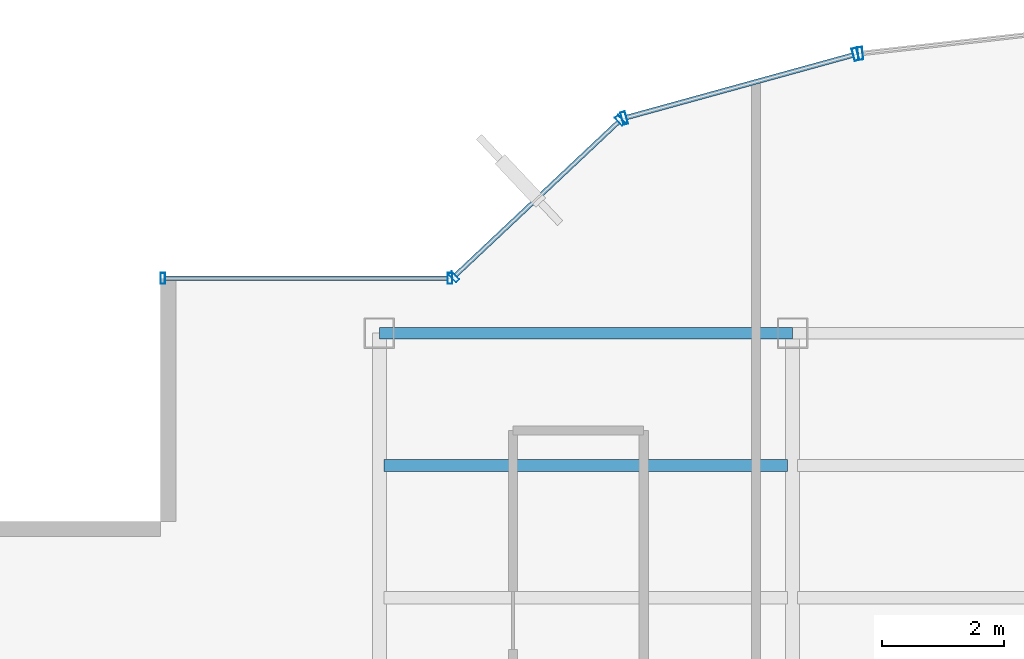
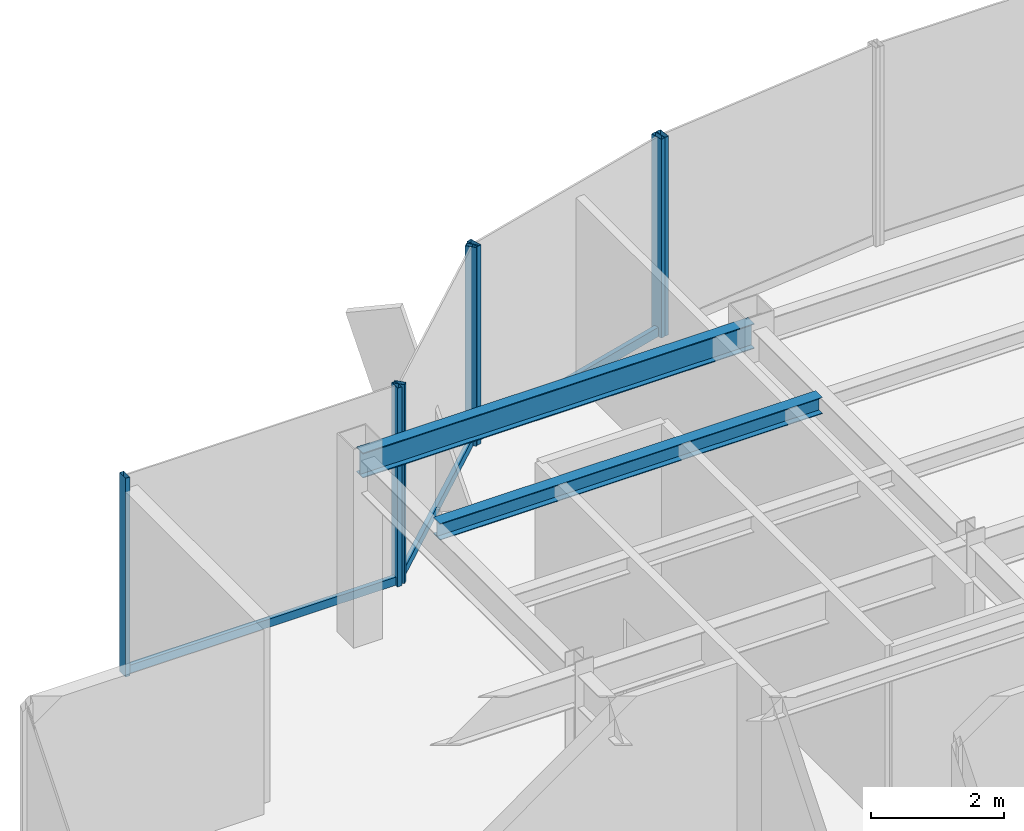
# One storey, part 12 of 22: 10 members, 2 beams, 4 elements without a shape of their own.
"""IFC4 building model written with IfcOpenShell, lengths in metres."""

from ifc_helpers import new_model, si_unit, derived_unit, direction, frame, origin, origin_2d, place, context, subcontext, project, spatial, hollow_rectangle, i_section, extrude, source, transform, mapped, material, material_profile, profile_set, type_object, element, aggregate, save


model = new_model("IFC4")

# Units and contexts
model_context = context("Model", 3, precision=1e-05, world=origin(), true_north=direction((0.0, 1.0)))
body_context = subcontext(model_context, "Body", "Model", "MODEL_VIEW")
ifc_project = project(units=[si_unit("LENGTHUNIT", "METRE"), si_unit("AREAUNIT", "SQUARE_METRE"), si_unit("VOLUMEUNIT", "CUBIC_METRE"), si_unit("PLANEANGLEUNIT", "RADIAN"), si_unit("MASSUNIT", "GRAM", prefix="KILO"), derived_unit("THERMALTRANSMITTANCEUNIT", [(si_unit("POWERUNIT", "WATT"), 1), (si_unit("LENGTHUNIT", "METRE"), -2), (si_unit("THERMODYNAMICTEMPERATUREUNIT", "KELVIN"), -1)])], contexts=[model_context])

# Site, building, storey
site_placement = place(None, origin())
site = spatial("IfcSite", under=ifc_project, at=site_placement, CompositionType="ELEMENT")
building_placement = place(site_placement, origin())
building = spatial("IfcBuilding", under=site, at=building_placement, Name="Skarnbrae Concourse Arena and Tower", CompositionType="ELEMENT")
storey_placement = place(building_placement, frame((0.0, 0.0, 266.10009765625)))
storey = spatial("IfcBuildingStorey", under=building, at=storey_placement, Name="L69", CompositionType="ELEMENT", Elevation=266.10009765625)

# Beams
ifc_material_1 = material(Name="Steel CSA G40.21 350W", Category="steel")
ifc_material_profile_1 = material_profile(ifc_material_1, i_section(OverallWidth=0.19091796875, OverallDepth=0.4599609375, WebThickness=0.010009765625, FlangeThickness=0.01611328125, at=origin_2d()), Name="W460X82")
ifc_profile_set_1 = profile_set([ifc_material_profile_1], Name="Steel CSA G40.21 350W")
beam_type_1 = type_object("IfcBeamType", Name="BM-SPAN-W460X82", PredefinedType="SPANDREL", material=ifc_profile_set_1)
shared_shape_1 = source(origin(), body_context, "Body", "SweptSolid", [
    extrude(i_section(OverallWidth=0.19091796875, OverallDepth=0.4599609375, WebThickness=0.010009765625, FlangeThickness=0.01611328125, at=origin_2d()), origin(), (0.0, 0.0, 1.0), 6.7998046875),
])
beam_1_placement = place(storey_placement, frame((7.60009765625, 34.39990234375, 3.169921875), z_axis=(1.0, 0.0, 0.0), x_axis=(0.0, 1.0, 0.0)))
element("IfcBeam", 1, at=beam_1_placement, inside=storey, type_object=beam_type_1, Name="L69 Perimeter spandrel Y34.4-1", PredefinedType="SPANDREL", context=body_context, shape_type="MappedRepresentation", body=[
    mapped(shared_shape_1, transform((0.0, 0.0, 0.0))),
])
ifc_material_profile_2 = material_profile(ifc_material_1, i_section(OverallWidth=0.202880859375, OverallDepth=0.302978515625, WebThickness=0.007568359375, FlangeThickness=0.01318359375, at=origin_2d()), Name="W310X60")
ifc_profile_set_2 = profile_set([ifc_material_profile_2], Name="Steel CSA G40.21 350W")
beam_type_2 = type_object("IfcBeamType", Name="BM-JOIST-W310X60", PredefinedType="JOIST", material=ifc_profile_set_2)
shared_shape_2 = source(origin(), body_context, "Body", "SweptSolid", [
    extrude(i_section(OverallWidth=0.202880859375, OverallDepth=0.302978515625, WebThickness=0.007568359375, FlangeThickness=0.01318359375, at=origin_2d()), origin(), (0.0, 0.0, 1.0), 6.64013671875),
])
beam_2_placement = place(storey_placement, frame((7.679931640625, 32.221923828125, 3.248291015625), z_axis=(1.0, 0.0, 0.0), x_axis=(0.0, 1.0, 0.0)))
element("IfcBeam", 2, at=beam_2_placement, inside=storey, type_object=beam_type_2, Name="L69 Secondary floor joist 3.2.1", PredefinedType="JOIST", context=body_context, shape_type="MappedRepresentation", body=[
    mapped(shared_shape_2, transform((0.0, 0.0, 0.0))),
])

# Curtain wall, member
ifc_material_2 = material(Name="Bronze anodised aluminium 6063-T6", Category="aluminium")
curtain_wall_type_1 = type_object("IfcCurtainWallType", Name="CW-SYS-03-PORTAL", PredefinedType="USERDEFINED", material=ifc_material_2)
curtain_wall_1_placement = place(storey_placement, origin())
curtain_wall_1 = element("IfcCurtainWall", 3, at=curtain_wall_1_placement, inside=storey, type_object=curtain_wall_type_1, Name="L69 Unitised curtain wall CW-L69-E12", ObjectType="UNITISED CURTAIN WALL", PredefinedType="USERDEFINED")
ifc_material_profile_3 = material_profile(ifc_material_2, hollow_rectangle(XDim=0.080078125, YDim=0.2099609375, WallThickness=0.00439453125, at=origin_2d()), Name="ALU-MULL-80X210")
ifc_profile_set_3 = profile_set([ifc_material_profile_3], Name="Bronze anodised aluminium 6063-T6")
member_type_1 = type_object("IfcMemberType", Name="CWM-CW-03", PredefinedType="MULLION", material=ifc_profile_set_3)
shared_shape_3 = source(origin(), body_context, "Body", "SweptSolid", [
    extrude(hollow_rectangle(XDim=0.080078125, YDim=0.2099609375, WallThickness=0.00439453125, at=origin_2d()), origin(), (0.0, 0.0, 1.0), 3.64990234375),
])
member_1_placement = place(storey_placement, frame((15.513916015625, 39.001708984375, 0.0), z_axis=(0.0, 0.0, 1.0), x_axis=(-0.993768891873, -0.111460259941, 0.0)))
member_1 = element("IfcMember", 4, at=member_1_placement, type_object=member_type_1, Name="CW-L69-E12 Mullion 2", PredefinedType="MULLION", context=body_context, shape_type="MappedRepresentation", body=[
    mapped(shared_shape_3, transform((0.0, 0.0, 0.0))),
])
aggregate(curtain_wall_1, [member_1])

# Curtain wall, members
curtain_wall_2_placement = place(storey_placement, origin())
curtain_wall_2 = element("IfcCurtainWall", 5, at=curtain_wall_2_placement, inside=storey, type_object=curtain_wall_type_1, Name="L69 Unitised curtain wall CW-L69-E13", ObjectType="UNITISED CURTAIN WALL", PredefinedType="USERDEFINED")
member_2_placement = place(storey_placement, frame((15.435546875, 38.986572265625, 0.0), z_axis=(0.0, 0.0, 1.0), x_axis=(-0.964057388766, -0.265694093207, 0.0)))
member_2 = element("IfcMember", 6, at=member_2_placement, type_object=member_type_1, Name="CW-L69-E13 Mullion 1", PredefinedType="MULLION", context=body_context, shape_type="MappedRepresentation", body=[
    mapped(shared_shape_3, transform((0.0, 0.0, 0.0))),
])
member_3_placement = place(storey_placement, frame((11.62890625, 37.937255859375, 0.0), z_axis=(0.0, 0.0, 1.0), x_axis=(-0.964057388766, -0.265694093207, 0.0)))
member_3 = element("IfcMember", 7, at=member_3_placement, type_object=member_type_1, Name="CW-L69-E13 Mullion 2", PredefinedType="MULLION", context=body_context, shape_type="MappedRepresentation", body=[
    mapped(shared_shape_3, transform((0.0, 0.0, 0.0))),
])

curtain_wall_type_2 = type_object("IfcCurtainWallType", Name="CW-SYS-05-HIGHZONE", PredefinedType="USERDEFINED", material=ifc_material_2)
curtain_wall_3_placement = place(storey_placement, origin())
curtain_wall_3 = element("IfcCurtainWall", 8, at=curtain_wall_3_placement, inside=storey, type_object=curtain_wall_type_2, Name="L69 Unitised curtain wall CW-L69-E14", ObjectType="UNITISED CURTAIN WALL", PredefinedType="USERDEFINED")
ifc_material_profile_4 = material_profile(ifc_material_2, hollow_rectangle(XDim=0.074951171875, YDim=0.179931640625, WallThickness=0.00390625, at=origin_2d()), Name="ALU-MULL-75X180")
ifc_profile_set_4 = profile_set([ifc_material_profile_4], Name="Bronze anodised aluminium 6063-T6")
member_type_2 = type_object("IfcMemberType", Name="CWM-CW-05", PredefinedType="MULLION", material=ifc_profile_set_4)
shared_shape_4 = source(origin(), body_context, "Body", "SweptSolid", [
    extrude(hollow_rectangle(XDim=0.074951171875, YDim=0.179931640625, WallThickness=0.00390625, at=origin_2d()), origin(), (0.0, 0.0, 1.0), 3.64990234375),
])
member_4_placement = place(storey_placement, frame((11.56298828125, 37.90087890625, 0.0), z_axis=(0.0, 0.0, 1.0), x_axis=(-0.728130555214, -0.685438468838, 0.0)))
member_4 = element("IfcMember", 9, at=member_4_placement, type_object=member_type_2, Name="CW-L69-E14 Mullion 1", PredefinedType="MULLION", context=body_context, shape_type="MappedRepresentation", body=[
    mapped(shared_shape_4, transform((0.0, 0.0, 0.0))),
])
member_5_placement = place(storey_placement, frame((8.827392578125, 35.32568359375, 0.0), z_axis=(0.0, 0.0, 1.0), x_axis=(-0.728130555214, -0.685438468838, 0.0)))
member_5 = element("IfcMember", 10, at=member_5_placement, type_object=member_type_2, Name="CW-L69-E14 Mullion 2", PredefinedType="MULLION", context=body_context, shape_type="MappedRepresentation", body=[
    mapped(shared_shape_4, transform((0.0, 0.0, 0.0))),
])

curtain_wall_4_placement = place(storey_placement, origin())
curtain_wall_4 = element("IfcCurtainWall", 11, at=curtain_wall_4_placement, inside=storey, type_object=curtain_wall_type_2, Name="L69 Unitised curtain wall CW-L69-E15", ObjectType="UNITISED CURTAIN WALL", PredefinedType="USERDEFINED")
member_6_placement = place(storey_placement, frame((8.762451171875, 35.300048828125, 0.0), z_axis=(0.0, 0.0, 1.0), x_axis=(-1.0, 0.0, 0.0)))
member_6 = element("IfcMember", 12, at=member_6_placement, type_object=member_type_2, Name="CW-L69-E15 Mullion 1", PredefinedType="MULLION", context=body_context, shape_type="MappedRepresentation", body=[
    mapped(shared_shape_4, transform((0.0, 0.0, 0.0))),
])
member_7_placement = place(storey_placement, frame((4.03759765625, 35.300048828125, 0.0), z_axis=(0.0, 0.0, 1.0), x_axis=(-1.0, 0.0, 0.0)))
member_7 = element("IfcMember", 13, at=member_7_placement, type_object=member_type_2, Name="CW-L69-E15 Mullion 2", PredefinedType="MULLION", context=body_context, shape_type="MappedRepresentation", body=[
    mapped(shared_shape_4, transform((0.0, 0.0, 0.0))),
])
ifc_material_profile_5 = material_profile(ifc_material_2, hollow_rectangle(XDim=0.074951171875, YDim=0.14990234375, WallThickness=0.00390625, at=origin_2d()), Name="ALU-TRAN-75X150")
ifc_profile_set_5 = profile_set([ifc_material_profile_5], Name="Bronze anodised aluminium 6063-T6")
member_type_3 = type_object("IfcMemberType", Name="CWT-CW-05", PredefinedType="USERDEFINED", material=ifc_profile_set_5)
shared_shape_5 = source(origin(), body_context, "Body", "SweptSolid", [
    extrude(hollow_rectangle(XDim=0.074951171875, YDim=0.14990234375, WallThickness=0.00390625, at=origin_2d()), origin(), (0.0, 0.0, 1.0), 4.650146484375),
])
member_8_placement = place(storey_placement, frame((8.72509765625, 35.300048828125, 0.074951171875), z_axis=(-1.0, 0.0, 0.0), x_axis=(0.0, -1.0, 0.0)))
member_8 = element("IfcMember", 14, at=member_8_placement, type_object=member_type_3, Name="CW-L69-E15 Transom 1", ObjectType="TRANSOM", PredefinedType="USERDEFINED", context=body_context, shape_type="MappedRepresentation", body=[
    mapped(shared_shape_5, transform((0.0, 0.0, 0.0))),
])
aggregate(curtain_wall_4, [member_6, member_7, member_8])

# Member
shared_shape_6 = source(origin(), body_context, "Body", "SweptSolid", [
    extrude(hollow_rectangle(XDim=0.074951171875, YDim=0.14990234375, WallThickness=0.00390625, at=origin_2d()), origin(), (0.0, 0.0, 1.0), 3.68212890625),
])
member_9_placement = place(storey_placement, frame((11.53564453125, 37.875244140625, 0.074951171875), z_axis=(-0.728133808476, -0.685435012933, 0.0), x_axis=(0.685435012933, -0.728133808476, 0.0)))
member_9 = element("IfcMember", 15, at=member_9_placement, type_object=member_type_3, Name="CW-L69-E14 Transom 1", ObjectType="TRANSOM", PredefinedType="USERDEFINED", context=body_context, shape_type="MappedRepresentation", body=[
    mapped(shared_shape_6, transform((0.0, 0.0, 0.0))),
])

aggregate(curtain_wall_3, [member_4, member_5, member_9])

ifc_material_profile_6 = material_profile(ifc_material_2, hollow_rectangle(XDim=0.080078125, YDim=0.169921875, WallThickness=0.00439453125, at=origin_2d()), Name="ALU-TRAN-80X170")
ifc_profile_set_6 = profile_set([ifc_material_profile_6], Name="Bronze anodised aluminium 6063-T6")
member_type_4 = type_object("IfcMemberType", Name="CWT-CW-03", PredefinedType="USERDEFINED", material=ifc_profile_set_6)
shared_shape_7 = source(origin(), body_context, "Body", "SweptSolid", [
    extrude(hollow_rectangle(XDim=0.080078125, YDim=0.169921875, WallThickness=0.00439453125, at=origin_2d()), origin(), (0.0, 0.0, 1.0), 3.86865234375),
])
member_10_placement = place(storey_placement, frame((15.397216796875, 38.975830078125, 0.0849609375), z_axis=(-0.964062872218, -0.265674195983, 0.0), x_axis=(0.265674195983, -0.964062872218, 0.0)))
member_10 = element("IfcMember", 16, at=member_10_placement, type_object=member_type_4, Name="CW-L69-E13 Transom 1", ObjectType="TRANSOM", PredefinedType="USERDEFINED", context=body_context, shape_type="MappedRepresentation", body=[
    mapped(shared_shape_7, transform((0.0, 0.0, 0.0))),
])

aggregate(curtain_wall_2, [member_2, member_3, member_10])

save(model, "model.ifc")
